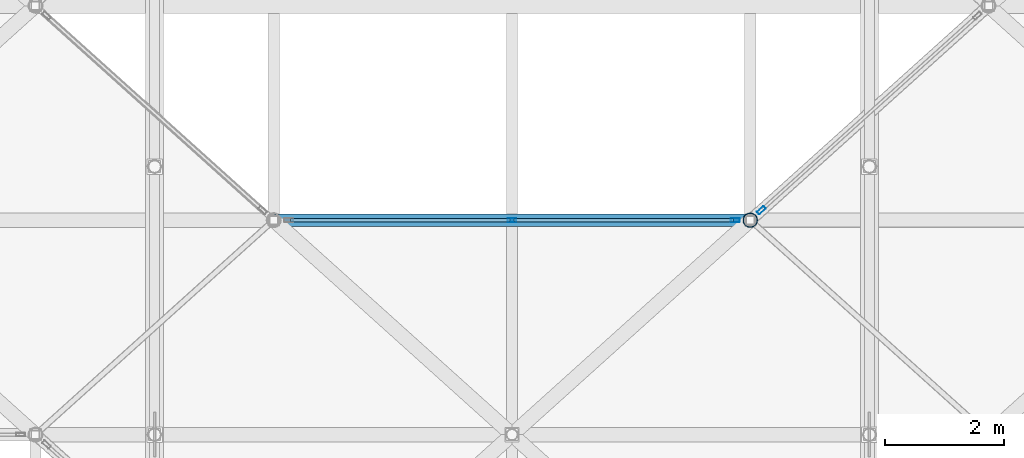
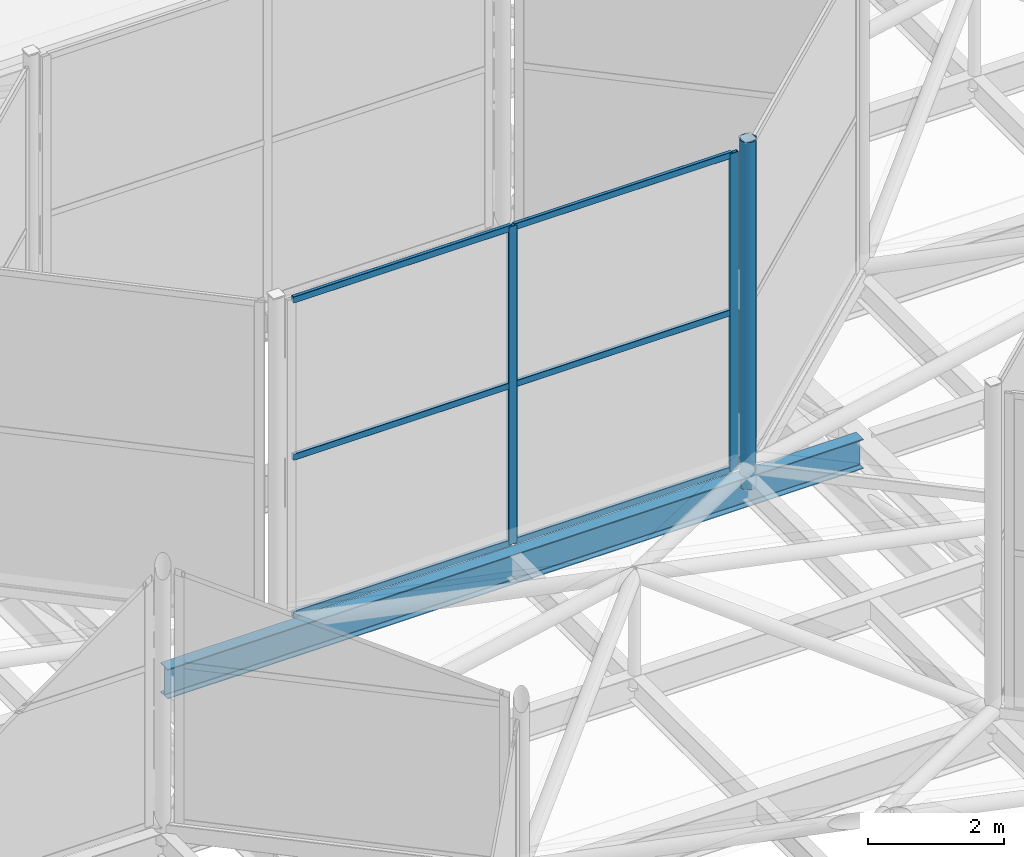
# One storey, part 123 of 239: 10 members, 1 beam, 2 elements without a shape of their own.
"""IFC4 building model written with IfcOpenShell, lengths in metres."""

from ifc_helpers import new_model, si_unit, direction, frame, origin, origin_2d, place, context, subcontext, project, spatial, hollow_rectangle, hollow_circle, i_section, extrude, material, layer, layer_set, material_profile, profile_set, type_object, element, aggregate, save


model = new_model("IFC4")

# Units and contexts
model_context = context("Model", 3, precision=1e-05, world=origin(), true_north=direction((0.0, 1.0)))
body_context = subcontext(model_context, "Body", "Model", "MODEL_VIEW")
ifc_project = project(units=[si_unit("LENGTHUNIT", "METRE"), si_unit("AREAUNIT", "SQUARE_METRE"), si_unit("VOLUMEUNIT", "CUBIC_METRE"), si_unit("PLANEANGLEUNIT", "RADIAN"), si_unit("MASSUNIT", "GRAM", prefix="KILO")], contexts=[model_context])

# Site, building, storey
site_placement = place(None, origin())
site = spatial("IfcSite", under=ifc_project, at=site_placement, CompositionType="ELEMENT")
building_placement = place(site_placement, origin())
building = spatial("IfcBuilding", under=site, at=building_placement, Name="Dunvalen Ferry Terminal", CompositionType="ELEMENT")
storey_placement = place(building_placement, frame((0.0, 0.0, 9.840087890625)))
storey = spatial("IfcBuildingStorey", under=building, at=storey_placement, Name="L02", CompositionType="ELEMENT", Elevation=9.840087890625)

# Curtain wall, members
ifc_material_1 = material(Name="Anodised marine aluminium and solar-control glazing", Category="aluminium")
ifc_layer_1 = layer(ifc_material_1, 0.179931640625, Name="Anodised marine aluminium and solar-control glazing")
ifc_layer_set_1 = layer_set([ifc_layer_1], Name="Anodised marine aluminium and solar-control glazing")
curtain_wall_type_1 = type_object("IfcCurtainWallType", Name="ENV-CW-SYS-06", PredefinedType="NOTDEFINED", material=ifc_layer_set_1)
curtain_wall_1_placement = place(storey_placement, origin())
curtain_wall_1 = element("IfcCurtainWall", 1, at=curtain_wall_1_placement, inside=storey, type_object=curtain_wall_type_1, Name="L02 Curtain Wall CW-HEX-32-SK-2", PredefinedType="NOTDEFINED")
ifc_material_2 = material(Name="Anodised marine aluminium EN AW-6063 T6", Category="aluminium")
ifc_material_profile_1 = material_profile(ifc_material_2, hollow_rectangle(XDim=0.06005859375, YDim=0.14990234375, WallThickness=0.00341796875, InnerFilletRadius=0.00341796875, OuterFilletRadius=0.007080078125, at=origin_2d()), Name="Anodised marine aluminium EN AW-6063 T6")
ifc_profile_set_1 = profile_set([ifc_material_profile_1], Name="Anodised marine aluminium EN AW-6063 T6")
member_type_1 = type_object("IfcMemberType", Name="ENV-CW-MUL-3", PredefinedType="MULLION", material=ifc_profile_set_1)
member_1_placement = place(storey_placement, frame((66.0, 72.0, 1.139892578125), z_axis=(0.0, 0.0, 1.0), x_axis=(0.0, 1.0, 0.0)))
member_1 = element("IfcMember", 2, at=member_1_placement, type_object=member_type_1, Name="CW-06 mullion 2", PredefinedType="MULLION", context=body_context, shape_type="SweptSolid", body=[
    extrude(hollow_rectangle(XDim=0.06005859375, YDim=0.14990234375, WallThickness=0.00341796875, InnerFilletRadius=0.00341796875, OuterFilletRadius=0.007080078125, at=origin_2d()), origin(), (0.0, 0.0, 1.0), 5.699951171875),
])
member_2_placement = place(storey_placement, frame((69.75, 72.0, 1.139892578125), z_axis=(0.0, 0.0, 1.0), x_axis=(0.0, 1.0, 0.0)))
member_2 = element("IfcMember", 3, at=member_2_placement, type_object=member_type_1, Name="CW-06 mullion 3", PredefinedType="MULLION", context=body_context, shape_type="SweptSolid", body=[
    extrude(hollow_rectangle(XDim=0.06005859375, YDim=0.14990234375, WallThickness=0.00341796875, InnerFilletRadius=0.00341796875, OuterFilletRadius=0.007080078125, at=origin_2d()), origin(), (0.0, 0.0, 1.0), 5.699951171875),
])

# Curtain wall, member
ifc_layer_2 = layer(ifc_material_1, 0.179931640625, Name="Anodised marine aluminium and solar-control glazing")
ifc_layer_set_2 = layer_set([ifc_layer_2], Name="Anodised marine aluminium and solar-control glazing")
curtain_wall_type_2 = type_object("IfcCurtainWallType", Name="ENV-CW-SYS-05", PredefinedType="NOTDEFINED", material=ifc_layer_set_2)
curtain_wall_2_placement = place(storey_placement, origin())
curtain_wall_2 = element("IfcCurtainWall", 4, at=curtain_wall_2_placement, inside=storey, type_object=curtain_wall_type_2, Name="L02 Curtain Wall CW-HEX-32-SK-3", PredefinedType="NOTDEFINED")
member_3_placement = place(storey_placement, frame((70.185791015625, 72.167236328125, 1.139892578125), z_axis=(0.0, 0.0, 1.0), x_axis=(-0.668953550894, 0.74330420875, 0.0)))
member_3 = element("IfcMember", 5, at=member_3_placement, type_object=member_type_1, Name="CW-05 mullion 1", PredefinedType="MULLION", context=body_context, shape_type="SweptSolid", body=[
    extrude(hollow_rectangle(XDim=0.06005859375, YDim=0.14990234375, WallThickness=0.00341796875, InnerFilletRadius=0.00341796875, OuterFilletRadius=0.007080078125, at=origin_2d()), origin(), (0.0, 0.0, 1.0), 5.699951171875),
])
aggregate(curtain_wall_2, [member_3])

# Member
ifc_material_profile_2 = material_profile(ifc_material_2, hollow_rectangle(XDim=0.06005859375, YDim=0.114990234375, WallThickness=0.0029296875, InnerFilletRadius=0.0029296875, OuterFilletRadius=0.006103515625, at=origin_2d()), Name="Anodised marine aluminium EN AW-6063 T6")
ifc_profile_set_2 = profile_set([ifc_material_profile_2], Name="Anodised marine aluminium EN AW-6063 T6")
member_type_2 = type_object("IfcMemberType", Name="ENV-CW-TRN-3", PredefinedType="USERDEFINED", material=ifc_profile_set_2)
member_4_placement = place(storey_placement, frame((62.280029296875, 72.0, 1.169921875), z_axis=(1.0, 0.0, 0.0), x_axis=(0.0, 1.0, 0.0)))
member_4 = element("IfcMember", 6, at=member_4_placement, type_object=member_type_2, Name="CW-06 transom 1.1", ObjectType="TRANSOM", PredefinedType="USERDEFINED", context=body_context, shape_type="SweptSolid", body=[
    extrude(hollow_rectangle(XDim=0.06005859375, YDim=0.114990234375, WallThickness=0.0029296875, InnerFilletRadius=0.0029296875, OuterFilletRadius=0.006103515625, at=origin_2d()), origin(), (0.0, 0.0, 1.0), 3.68994140625),
])

member_5_placement = place(storey_placement, frame((62.280029296875, 72.0, 3.989990234375), z_axis=(1.0, 0.0, 0.0), x_axis=(0.0, 1.0, 0.0)))
member_5 = element("IfcMember", 7, at=member_5_placement, type_object=member_type_2, Name="CW-06 transom 1.2", ObjectType="TRANSOM", PredefinedType="USERDEFINED", context=body_context, shape_type="SweptSolid", body=[
    extrude(hollow_rectangle(XDim=0.06005859375, YDim=0.114990234375, WallThickness=0.0029296875, InnerFilletRadius=0.0029296875, OuterFilletRadius=0.006103515625, at=origin_2d()), origin(), (0.0, 0.0, 1.0), 3.68994140625),
])

member_6_placement = place(storey_placement, frame((62.280029296875, 72.0, 6.809814453125), z_axis=(1.0, 0.0, 0.0), x_axis=(0.0, 1.0, 0.0)))
member_6 = element("IfcMember", 8, at=member_6_placement, type_object=member_type_2, Name="CW-06 transom 1.3", ObjectType="TRANSOM", PredefinedType="USERDEFINED", context=body_context, shape_type="SweptSolid", body=[
    extrude(hollow_rectangle(XDim=0.06005859375, YDim=0.114990234375, WallThickness=0.0029296875, InnerFilletRadius=0.0029296875, OuterFilletRadius=0.006103515625, at=origin_2d()), origin(), (0.0, 0.0, 1.0), 3.68994140625),
])

member_7_placement = place(storey_placement, frame((66.030029296875, 72.0, 1.169921875), z_axis=(1.0, 0.0, 0.0), x_axis=(0.0, 1.0, 0.0)))
member_7 = element("IfcMember", 9, at=member_7_placement, type_object=member_type_2, Name="CW-06 transom 2.1", ObjectType="TRANSOM", PredefinedType="USERDEFINED", context=body_context, shape_type="SweptSolid", body=[
    extrude(hollow_rectangle(XDim=0.06005859375, YDim=0.114990234375, WallThickness=0.0029296875, InnerFilletRadius=0.0029296875, OuterFilletRadius=0.006103515625, at=origin_2d()), origin(), (0.0, 0.0, 1.0), 3.68994140625),
])

member_8_placement = place(storey_placement, frame((66.030029296875, 72.0, 3.989990234375), z_axis=(1.0, 0.0, 0.0), x_axis=(0.0, 1.0, 0.0)))
member_8 = element("IfcMember", 10, at=member_8_placement, type_object=member_type_2, Name="CW-06 transom 2.2", ObjectType="TRANSOM", PredefinedType="USERDEFINED", context=body_context, shape_type="SweptSolid", body=[
    extrude(hollow_rectangle(XDim=0.06005859375, YDim=0.114990234375, WallThickness=0.0029296875, InnerFilletRadius=0.0029296875, OuterFilletRadius=0.006103515625, at=origin_2d()), origin(), (0.0, 0.0, 1.0), 3.68994140625),
])

member_9_placement = place(storey_placement, frame((66.030029296875, 72.0, 6.809814453125), z_axis=(1.0, 0.0, 0.0), x_axis=(0.0, 1.0, 0.0)))
member_9 = element("IfcMember", 11, at=member_9_placement, type_object=member_type_2, Name="CW-06 transom 2.3", ObjectType="TRANSOM", PredefinedType="USERDEFINED", context=body_context, shape_type="SweptSolid", body=[
    extrude(hollow_rectangle(XDim=0.06005859375, YDim=0.114990234375, WallThickness=0.0029296875, InnerFilletRadius=0.0029296875, OuterFilletRadius=0.006103515625, at=origin_2d()), origin(), (0.0, 0.0, 1.0), 3.68994140625),
])

aggregate(curtain_wall_1, [member_1, member_2, member_4, member_5, member_6, member_7, member_8, member_9])

# Beam
ifc_material_3 = material(Name="Steel S355", Category="steel")
ifc_material_profile_3 = material_profile(ifc_material_3, i_section(OverallWidth=0.209228515625, OverallDepth=0.533203125, WebThickness=0.010009765625, FlangeThickness=0.015625, FilletRadius=0.0126953125, at=origin_2d()), Name="Steel S355")
ifc_profile_set_3 = profile_set([ifc_material_profile_3], Name="Steel S355")
beam_type = type_object("IfcBeamType", Name="STR-BM-UKB533", PredefinedType="BEAM", material=ifc_profile_set_3)
beam_placement = place(storey_placement, frame((60.10009765625, 72.0, 0.7333984375), z_axis=(1.0, 0.0, 0.0), x_axis=(0.0, 1.0, 0.0)))
element("IfcBeam", 12, at=beam_placement, inside=storey, type_object=beam_type, Name="Departure Hall Spine Girder B5.07", PredefinedType="BEAM", context=body_context, shape_type="SweptSolid", body=[
    extrude(i_section(OverallWidth=0.209228515625, OverallDepth=0.533203125, WebThickness=0.010009765625, FlangeThickness=0.015625, FilletRadius=0.0126953125, at=origin_2d()), origin(), (0.0, 0.0, 1.0), 11.7998046875),
])

# Member
ifc_material_profile_4 = material_profile(ifc_material_3, hollow_circle(Radius=0.122314453125, WallThickness=0.010009765625, at=origin_2d()), Name="Steel S355")
ifc_profile_set_4 = profile_set([ifc_material_profile_4], Name="Steel S355")
member_type_3 = type_object("IfcMemberType", Name="STR-MB-CHS244", PredefinedType="STRUT", material=ifc_profile_set_4)
member_10_placement = place(storey_placement, frame((70.0, 72.0, 0.77001953125), z_axis=(0.0, 0.0, 1.0), x_axis=(1.0, 0.0, 0.0)))
element("IfcMember", 13, at=member_10_placement, inside=storey, type_object=member_type_3, Name="HEX-32 Skylight Lantern Corner Strut 3", PredefinedType="STRUT", context=body_context, shape_type="SweptSolid", body=[
    extrude(hollow_circle(Radius=0.122314453125, WallThickness=0.010009765625, at=origin_2d()), origin(), (0.0, 0.0, 1.0), 6.22998046875),
])

save(model, "model.ifc")
